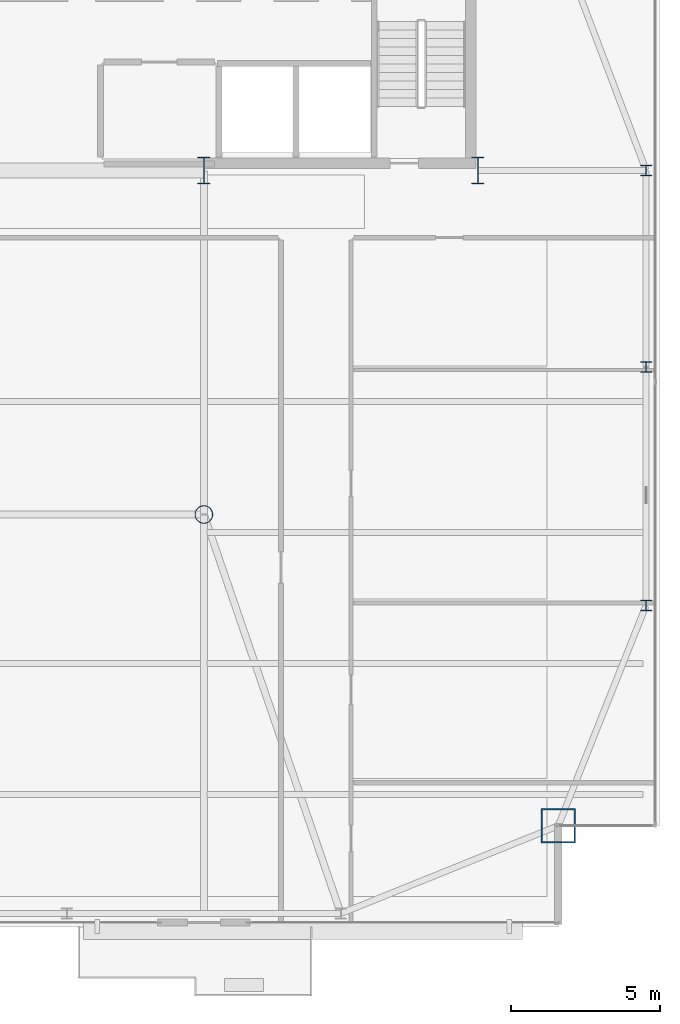
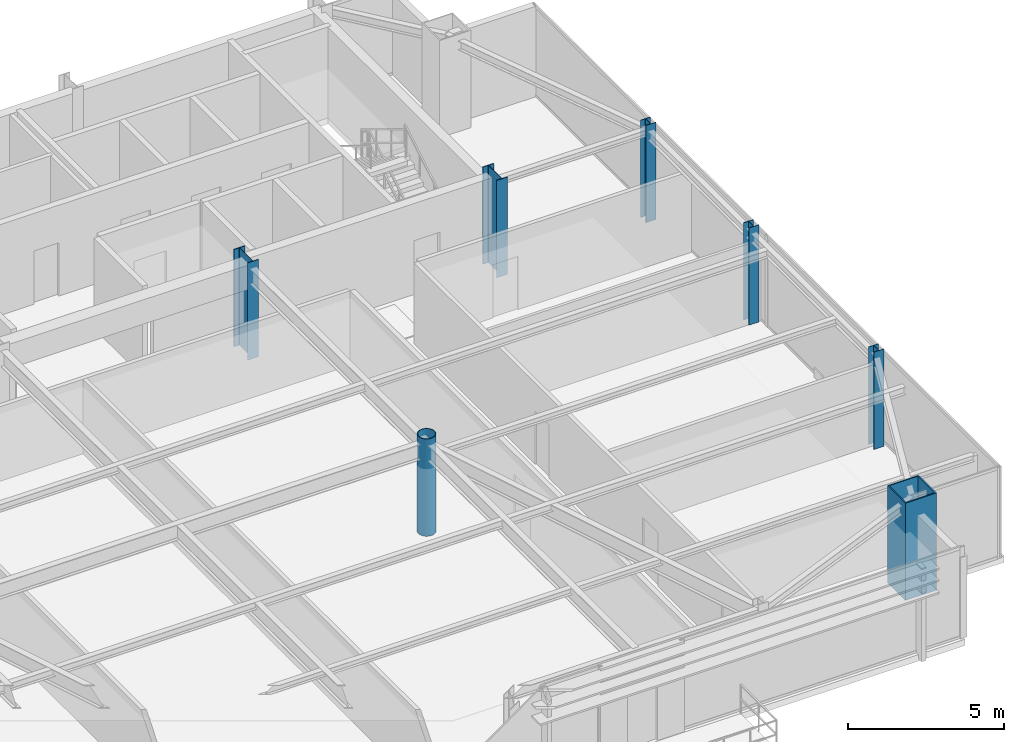
# One storey, part 2 of 30: 7 columns.
"""IFC4 building model written with IfcOpenShell, lengths in metres."""

import ifcopenshell
import ifcopenshell.guid

model = None  # the IFC model being written
_history = None  # IfcOwnerHistory: only IFC2X3 demands one
_inside = {}  # id of a spatial element -> (the spatial element, [elements in it])
_under = {}  # id of a project, library or spatial element -> (it, [spatial elements below it])
_declared = {}  # id of a project -> (the project, [libraries it declares])
_typed = {}  # id of a type object -> (the type object, [elements of that type])
_made_of = {}  # id of a material, layer set ... -> (it, [elements and type objects made of it])


def new_model(schema):
    """Start an empty IFC model of exactly this schema.

    Asked for "IFC4X3", IfcOpenShell would pick the latest addendum, in which some entities
    have other attributes; the version numbers below select the first issue.
    IFC2X3 requires an IfcOwnerHistory on every rooted entity: one is made here for all.
    """
    global model, _history
    if schema == "IFC4X3":
        model = ifcopenshell.file(schema_version=(4, 3, 0, 0))
    else:
        model = ifcopenshell.file(schema=schema)
    _inside.clear()
    _under.clear()
    _declared.clear()
    _typed.clear()
    _made_of.clear()
    _history = None
    if model.schema == "IFC2X3":
        org = make("IfcOrganization", Name="unknown")
        user = make(
            "IfcPersonAndOrganization",
            ThePerson=make("IfcPerson", FamilyName="unknown"),
            TheOrganization=org,
        )
        app = make(
            "IfcApplication",
            ApplicationDeveloper=org,
            Version="unknown",
            ApplicationFullName="unknown",
            ApplicationIdentifier="unknown",
        )
        _history = make(
            "IfcOwnerHistory",
            OwningUser=user,
            OwningApplication=app,
            ChangeAction="ADDED",
            CreationDate=0,
        )
    return model


def make(cls, **values):
    """One entity of the class cls with the attributes given. An attribute that is None is left unset."""
    return model.create_entity(
        cls, **{name: value for name, value in values.items() if value is not None}
    )


def rooted(cls, **values):
    """An entity with a GlobalId (a new one), such as an element, a storey or a relation."""
    return make(cls, GlobalId=ifcopenshell.guid.new(), OwnerHistory=_history, **values)


def si_unit(unit_type, name, prefix=None):
    """IfcSIUnit, for example si_unit("LENGTHUNIT", "METRE", prefix="MILLI")."""
    return make("IfcSIUnit", UnitType=unit_type, Prefix=prefix, Name=name)


def assignment(units):
    """IfcUnitAssignment: the units of a project."""
    return None if units is None else make("IfcUnitAssignment", Units=units)


def point(xyz):
    """IfcCartesianPoint."""
    return None if xyz is None else make("IfcCartesianPoint", Coordinates=xyz)


def direction(xyz):
    """IfcDirection."""
    return None if xyz is None else make("IfcDirection", DirectionRatios=xyz)


def frame(location, z_axis=None, x_axis=None):
    """IfcAxis2Placement3D, a coordinate frame: its origin and axes. An axis left out is left unset."""
    return make(
        "IfcAxis2Placement3D",
        Location=point(location),
        Axis=direction(z_axis),
        RefDirection=direction(x_axis),
    )


def frame_2d(location, x_axis=None):
    """IfcAxis2Placement2D, a coordinate frame in the plane: its origin and x axis."""
    return make(
        "IfcAxis2Placement2D", Location=point(location), RefDirection=direction(x_axis)
    )


def origin():
    """The frame at (0, 0, 0) with its axes left unset."""
    return frame((0.0, 0.0, 0.0))


def origin_2d():
    """The frame at (0, 0) in the plane with its x axis left unset."""
    return frame_2d((0.0, 0.0))


def place(relative_to, where):
    """IfcLocalPlacement: puts the frame where relative to a parent placement (None: the world)."""
    return make(
        "IfcLocalPlacement", PlacementRelTo=relative_to, RelativePlacement=where
    )


def context(
    kind, dimensions, precision=None, world=None, true_north=None, identifier=None
):
    """IfcGeometricRepresentationContext, for example the 3D "Model" context."""
    return make(
        "IfcGeometricRepresentationContext",
        ContextIdentifier=identifier,
        ContextType=kind,
        CoordinateSpaceDimension=dimensions,
        Precision=precision,
        WorldCoordinateSystem=world,
        TrueNorth=true_north,
    )


def subcontext(parent, identifier, kind, view, scale=None):
    """IfcGeometricRepresentationSubContext, for example "Body" below "Model"."""
    return make(
        "IfcGeometricRepresentationSubContext",
        ContextIdentifier=identifier,
        ContextType=kind,
        ParentContext=parent,
        TargetScale=scale,
        TargetView=view,
    )


def project(units=None, contexts=None):
    """IfcProject with its units and contexts."""
    return rooted(
        "IfcProject",
        Name="project",
        RepresentationContexts=contexts,
        UnitsInContext=assignment(units),
    )


def spatial(cls, under=None, at=None, **own):
    """A site, building, storey or space (cls), placed at a placement, below another one or the project."""
    s = rooted(cls, ObjectPlacement=at, **own)
    if under is not None:
        _under.setdefault(under.id(), (under, []))[1].append(s)
    return s


def profile(cls, at=None, kind="AREA", **sizes):
    """A parametric profile (cls). Its sizes go by their IFC names, for example OverallWidth=200.0."""
    return make(cls, ProfileType=kind, Position=at, **sizes)


def hollow_rectangle(**sizes):
    """IfcRectangleHollowProfileDef."""
    return profile("IfcRectangleHollowProfileDef", **sizes)


def hollow_circle(**sizes):
    """IfcCircleHollowProfileDef."""
    return profile("IfcCircleHollowProfileDef", **sizes)


def i_section(**sizes):
    """IfcIShapeProfileDef."""
    return profile("IfcIShapeProfileDef", **sizes)


def extrude(swept, where, along, depth):
    """IfcExtrudedAreaSolid: the profile swept, set in the frame where, extruded along a direction by depth."""
    return make(
        "IfcExtrudedAreaSolid",
        SweptArea=swept,
        Position=where,
        ExtrudedDirection=direction(along),
        Depth=depth,
    )


def shape(context_of_items, identifier, shape_type, items):
    """IfcShapeRepresentation: the items that make up one representation, for example the "Body"."""
    return make(
        "IfcShapeRepresentation",
        ContextOfItems=context_of_items,
        RepresentationIdentifier=identifier,
        RepresentationType=shape_type,
        Items=items,
    )


def source(mapping_origin, context_of_items, identifier, shape_type, items):
    """IfcRepresentationMap: a shape defined once, which mapped items show again and again."""
    return make(
        "IfcRepresentationMap",
        MappingOrigin=mapping_origin,
        MappedRepresentation=shape(context_of_items, identifier, shape_type, items),
    )


def transform(
    local_origin,
    x_axis=None,
    y_axis=None,
    z_axis=None,
    scale=None,
    scale2=None,
    scale3=None,
    uniform=True,
):
    """IfcCartesianTransformationOperator3D, or its non-uniform kind. x_axis, y_axis, z_axis: its Axis1, 2, 3."""
    if uniform:
        return make(
            "IfcCartesianTransformationOperator3D",
            Axis1=direction(x_axis),
            Axis2=direction(y_axis),
            LocalOrigin=point(local_origin),
            Scale=scale,
            Axis3=direction(z_axis),
        )
    return make(
        "IfcCartesianTransformationOperator3DnonUniform",
        Axis1=direction(x_axis),
        Axis2=direction(y_axis),
        LocalOrigin=point(local_origin),
        Scale=scale,
        Axis3=direction(z_axis),
        Scale2=scale2,
        Scale3=scale3,
    )


def mapped(mapping_source, mapping_target):
    """IfcMappedItem: shows the shape of a source again, moved by a transform."""
    return make(
        "IfcMappedItem", MappingSource=mapping_source, MappingTarget=mapping_target
    )


def material(Name=None, Category=None):
    """IfcMaterial."""
    return make("IfcMaterial", Name=Name, Category=Category)


def material_profile(
    of_material, cross_section, Name=None, Category=None, Priority=None
):
    """IfcMaterialProfile: a cross section and its material."""
    return make(
        "IfcMaterialProfile",
        Name=Name,
        Material=of_material,
        Profile=cross_section,
        Priority=Priority,
        Category=Category,
    )


def profile_set(profiles, Name=None, composite=None):
    """IfcMaterialProfileSet."""
    return make(
        "IfcMaterialProfileSet",
        Name=Name,
        MaterialProfiles=profiles,
        CompositeProfile=composite,
    )


def made_of(thing, what):
    """Note that an element or type object is made of a material, layer set ...; save() writes the relation."""
    if what is not None:
        _made_of.setdefault(what.id(), (what, []))[1].append(thing)
    return thing


def type_object(cls, material=None, **own):
    """A type object (cls), such as IfcWallType, which elements share."""
    return made_of(rooted(cls, **own), material)


def type_shapes(of_type, sources):
    """Give a type object the sources (RepresentationMaps) that its elements show as mapped items."""
    of_type.RepresentationMaps = sources


def element(
    cls,
    number,
    at=None,
    inside=None,
    cuts=None,
    type_object=None,
    material=None,
    context=None,
    identifier="Body",
    shape_type=None,
    held_by="IfcProductDefinitionShape",
    body=None,
    shapes=None,
    **own,
):
    """One element of the class cls, such as IfcWall. Its Tag is "e" and its number.

    at: its placement. inside: the storey or other place that contains it. cuts: it is an
    opening in that element (IfcRelVoidsElement). A single representation is given by context,
    identifier, shape_type and body (its items); several are given by shapes. held_by: the class
    of the entity that holds the representations. save() writes the other relations.
    """
    e = rooted(cls, Tag="e%d" % number, ObjectPlacement=at, **own)
    if body is not None:
        shapes = [shape(context, identifier, shape_type, body)]
    if shapes is not None:
        e.Representation = make(held_by, Representations=shapes)
    if inside is not None:
        _inside.setdefault(inside.id(), (inside, []))[1].append(e)
    if cuts is not None:
        rooted(
            "IfcRelVoidsElement", RelatingBuildingElement=cuts, RelatedOpeningElement=e
        )
    if type_object is not None:
        _typed.setdefault(type_object.id(), (type_object, []))[1].append(e)
    return made_of(e, material)


def aggregate(whole, parts):
    """IfcRelAggregates: a whole, such as a stair, and the parts it consists of."""
    return rooted("IfcRelAggregates", RelatingObject=whole, RelatedObjects=parts)


def save(model, path):
    """Write the relations noted so far, then the file.

    IfcRelAggregates (storeys below a building ...), IfcRelContainedInSpatialStructure (elements
    in a storey), IfcRelDefinesByType, IfcRelAssociatesMaterial and IfcRelDeclares: one each for
    every whole, place, type object, material and project.
    """
    for whole, parts in _under.values():
        aggregate(whole, parts)
    for where, things in _inside.values():
        rooted(
            "IfcRelContainedInSpatialStructure",
            RelatedElements=things,
            RelatingStructure=where,
        )
    for kind, things in _typed.values():
        rooted("IfcRelDefinesByType", RelatedObjects=things, RelatingType=kind)
    for what, things in _made_of.values():
        rooted("IfcRelAssociatesMaterial", RelatedObjects=things, RelatingMaterial=what)
    for by, libraries in _declared.values():
        rooted("IfcRelDeclares", RelatingContext=by, RelatedDefinitions=libraries)
    model.write(path)


model = new_model("IFC4")

# Units and contexts
model_context = context("Model", 3, precision=1e-05, world=origin(), true_north=direction((0.0, 1.0)))
body_context = subcontext(model_context, "Body", "Model", "MODEL_VIEW")
ifc_project = project(units=[si_unit("LENGTHUNIT", "METRE"), si_unit("AREAUNIT", "SQUARE_METRE"), si_unit("VOLUMEUNIT", "CUBIC_METRE"), si_unit("PLANEANGLEUNIT", "RADIAN"), si_unit("MASSUNIT", "GRAM", prefix="KILO")], contexts=[model_context])

# Site, building, storey
site_placement = place(None, origin())
site = spatial("IfcSite", under=ifc_project, at=site_placement, CompositionType="ELEMENT")
building_placement = place(site_placement, origin())
building = spatial("IfcBuilding", under=site, at=building_placement, Name="Varnel Quay Broadcast Tower", CompositionType="ELEMENT")
storey_placement = place(building_placement, frame((0.0, 0.0, 207.39990234375)))
storey = spatial("IfcBuildingStorey", under=building, at=storey_placement, Name="L51", CompositionType="ELEMENT", Elevation=207.39990234375)

# Columns
ifc_material_1 = material(Name="Structural Steel CSA G40.21 350WT", Category="steel")
ifc_material_profile_1 = material_profile(ifc_material_1, i_section(OverallWidth=0.39990234375, OverallDepth=0.89990234375, WebThickness=0.01611328125, FlangeThickness=0.028076171875, FilletRadius=0.01611328125, at=origin_2d()), Name="WWF900X309")
ifc_profile_set_1 = profile_set([ifc_material_profile_1], Name="Structural Steel CSA G40.21 350WT")
column_type_1 = type_object("IfcColumnType", Name="Col_WWF900X309", PredefinedType="COLUMN", material=ifc_profile_set_1)
shared_shape_1 = source(origin(), body_context, "Body", "SweptSolid", [
    extrude(i_section(OverallWidth=0.39990234375, OverallDepth=0.89990234375, WebThickness=0.01611328125, FlangeThickness=0.028076171875, FilletRadius=0.01611328125, at=origin_2d()), origin(), (0.0, 0.0, 1.0), 3.800048828125),
])
type_shapes(column_type_1, [shared_shape_1])
for number, where, z_axis, x_axis, name in (
    (1, (43.199951171875, 35.60009765625, 0.0), (0.0, 0.0, 1.0), (1.0, 0.0, 0.0), "L51 Column CC-S4"),
    (2, (52.39990234375, 35.60009765625, 0.0), (0.0, 0.0, 1.0), (1.0, 0.0, 0.0), "L51 Column CC-S5"),
):
    element("IfcColumn", number, at=place(storey_placement, frame(where, z_axis=z_axis, x_axis=x_axis)), inside=storey, type_object=column_type_1, Name=name, PredefinedType="COLUMN", context=body_context, shape_type="MappedRepresentation", body=[
        mapped(shared_shape_1, transform((0.0, 0.0, 0.0), x_axis=(1.0, 0.0, 0.0), y_axis=(0.0, 1.0, 0.0), z_axis=(0.0, 0.0, 1.0), scale=1.0)),
    ])
ifc_material_profile_2 = material_profile(ifc_material_1, hollow_rectangle(XDim=1.14990234375, YDim=1.14990234375, WallThickness=0.044921875, at=origin_2d()), Name="BOX1150X1150X45")
ifc_profile_set_2 = profile_set([ifc_material_profile_2], Name="Structural Steel CSA G40.21 350WT")
column_type_2 = type_object("IfcColumnType", Name="Col_BOX1150X1150X45", PredefinedType="COLUMN", material=ifc_profile_set_2)
shared_shape_2 = source(origin(), body_context, "Body", "SweptSolid", [
    extrude(hollow_rectangle(XDim=1.14990234375, YDim=1.14990234375, WallThickness=0.044921875, at=origin_2d()), origin(), (0.0, 0.0, 1.0), 3.800048828125),
])
type_shapes(column_type_2, [shared_shape_2])
column_1_placement = place(storey_placement, frame((55.10009765625, 13.60009765625, 0.0), z_axis=(0.0, 0.0, 1.0), x_axis=(1.0, 0.0, 0.0)))
element("IfcColumn", 3, at=column_1_placement, inside=storey, type_object=column_type_2, Name="L51 Column MC-SE", PredefinedType="COLUMN", context=body_context, shape_type="MappedRepresentation", body=[
    mapped(shared_shape_2, transform((0.0, 0.0, 0.0), x_axis=(1.0, 0.0, 0.0), y_axis=(0.0, 1.0, 0.0), z_axis=(0.0, 0.0, 1.0), scale=1.0)),
])
ifc_material_2 = material(Name="Structural Steel CSA G40.21 350W", Category="steel")
ifc_material_profile_3 = material_profile(ifc_material_2, i_section(OverallWidth=0.368896484375, OverallDepth=0.35595703125, WebThickness=0.01123046875, FlangeThickness=0.01806640625, FilletRadius=0.01611328125, at=origin_2d()), Name="W360X134")
ifc_profile_set_3 = profile_set([ifc_material_profile_3], Name="Structural Steel CSA G40.21 350W")
column_type_3 = type_object("IfcColumnType", Name="Col_W360X134", PredefinedType="COLUMN", material=ifc_profile_set_3)
shared_shape_3 = source(origin(), body_context, "Body", "SweptSolid", [
    extrude(i_section(OverallWidth=0.368896484375, OverallDepth=0.35595703125, WebThickness=0.01123046875, FlangeThickness=0.01806640625, FilletRadius=0.01611328125, at=origin_2d()), origin(), (0.0, 0.0, 1.0), 3.800048828125),
])
type_shapes(column_type_3, [shared_shape_3])
for number, where, z_axis, x_axis, name in (
    (4, (58.050048828125, 21.0, 0.0), (0.0, 0.0, 1.0), (1.0, 0.0, 0.0), "L51 Column TC-E1"),
    (5, (58.050048828125, 29.0, 0.0), (0.0, 0.0, 1.0), (1.0, 0.0, 0.0), "L51 Column TC-E2"),
    (6, (58.050048828125, 35.60009765625, 0.0), (0.0, 0.0, 1.0), (1.0, 0.0, 0.0), "L51 Column TC-E3"),
):
    element("IfcColumn", number, at=place(storey_placement, frame(where, z_axis=z_axis, x_axis=x_axis)), inside=storey, type_object=column_type_3, Name=name, PredefinedType="COLUMN", context=body_context, shape_type="MappedRepresentation", body=[
        mapped(shared_shape_3, transform((0.0, 0.0, 0.0), x_axis=(1.0, 0.0, 0.0), y_axis=(0.0, 1.0, 0.0), z_axis=(0.0, 0.0, 1.0), scale=1.0)),
    ])
ifc_material_profile_4 = material_profile(ifc_material_2, hollow_circle(Radius=0.304931640625, WallThickness=0.02490234375, at=origin_2d()), Name="CHS610X25")
ifc_profile_set_4 = profile_set([ifc_material_profile_4], Name="Structural Steel CSA G40.21 350W")
column_type_4 = type_object("IfcColumnType", Name="Col_CHS610X25", PredefinedType="COLUMN", material=ifc_profile_set_4)
shared_shape_4 = source(origin(), body_context, "Body", "SweptSolid", [
    extrude(hollow_circle(Radius=0.304931640625, WallThickness=0.02490234375, at=origin_2d()), origin(), (0.0, 0.0, 1.0), 3.800048828125),
])
type_shapes(column_type_4, [shared_shape_4])
column_2_placement = place(storey_placement, frame((43.199951171875, 24.050048828125, 0.0), z_axis=(0.0, 0.0, 1.0), x_axis=(1.0, 0.0, 0.0)))
element("IfcColumn", 7, at=column_2_placement, inside=storey, type_object=column_type_4, Name="L51 Column IC-02", PredefinedType="COLUMN", context=body_context, shape_type="MappedRepresentation", body=[
    mapped(shared_shape_4, transform((0.0, 0.0, 0.0), x_axis=(1.0, 0.0, 0.0), y_axis=(0.0, 1.0, 0.0), z_axis=(0.0, 0.0, 1.0), scale=1.0)),
])

save(model, "model.ifc")
